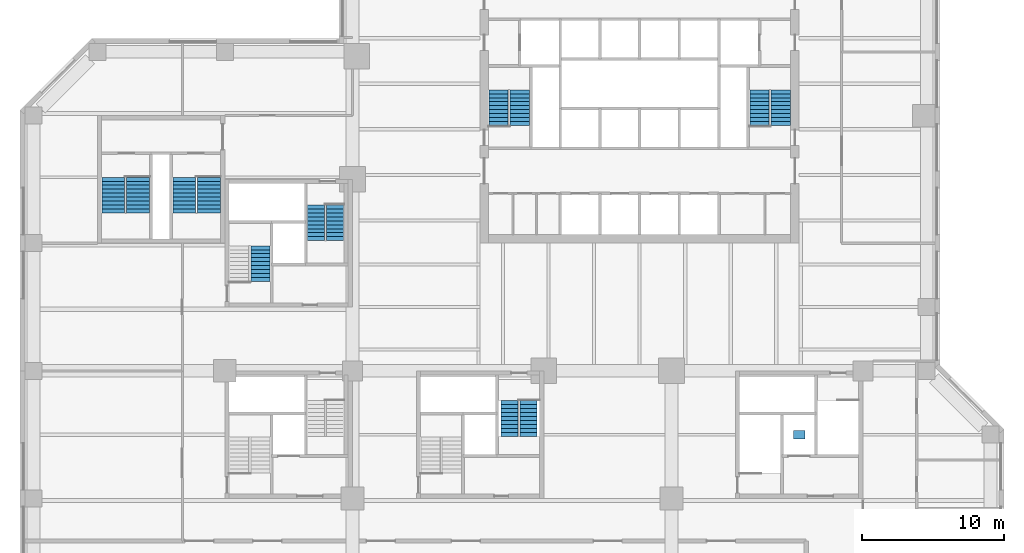
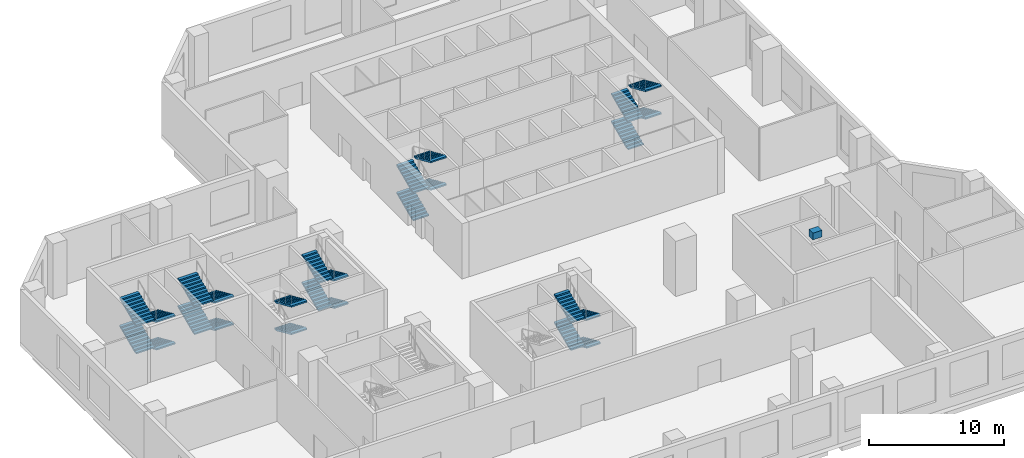
# One storey, part 10 of 12: 26 stair flights, 1 discrete accessory, 7 elements without a shape of their own.
"""IFC4 building model written with IfcOpenShell, lengths in metres."""

from ifc_helpers import new_model, si_unit, direction, frame, origin, origin_2d, place, context, subcontext, project, spatial, polyline, rectangle, outline, extrude, material, type_object, element, aggregate, save


model = new_model("IFC4")

# Units and contexts
model_context = context("Model", 3, precision=1e-05, world=origin(), true_north=direction((0.0, 1.0)))
body_context = subcontext(model_context, "Body", "Model", "MODEL_VIEW")
ifc_project = project(units=[si_unit("LENGTHUNIT", "METRE"), si_unit("AREAUNIT", "SQUARE_METRE"), si_unit("VOLUMEUNIT", "CUBIC_METRE"), si_unit("PLANEANGLEUNIT", "RADIAN"), si_unit("MASSUNIT", "GRAM", prefix="KILO")], contexts=[model_context])

# Site, building, storey
site_placement = place(None, origin())
site = spatial("IfcSite", under=ifc_project, at=site_placement, CompositionType="ELEMENT")
building_placement = place(site_placement, origin())
building = spatial("IfcBuilding", under=site, at=building_placement, Name="Quoin Convention Tower", CompositionType="ELEMENT")
storey_placement = place(building_placement, frame((0.0, 0.0, 13.5)))
storey = spatial("IfcBuildingStorey", under=building, at=storey_placement, Name="L02", CompositionType="ELEMENT", Elevation=13.5)

# Stair, stair flights
ifc_material_1 = material(Name="Concrete C40", Category="concrete")
stair_type_1 = type_object("IfcStairType", Name="Exit stair four-flight 1200", PredefinedType="DOUBLE_RETURN_STAIR", material=ifc_material_1)
stair_1_placement = place(storey_placement, origin())
stair_1 = element("IfcStair", 1, at=stair_1_placement, inside=storey, type_object=stair_type_1, Name="SD4 L02", PredefinedType="DOUBLE_RETURN_STAIR")
stair_flight_type_1 = type_object("IfcStairFlightType", Name="Stair flight 1200", PredefinedType="STRAIGHT", material=ifc_material_1)
stair_flight_1_placement = place(storey_placement, frame((34.77490234375, 52.199951171875, 0.0), z_axis=(0.0, 0.0, 1.0), x_axis=(0.0, -1.0, 0.0)))
stair_flight_1 = element("IfcStairFlight", 2, at=stair_flight_1_placement, type_object=stair_flight_type_1, Name="ST4 flight 1", NumberOfRisers=10, NumberOfTreads=9, PredefinedType="STRAIGHT", RiserHeight=0.125, TreadLength=0.28, context=body_context, shape_type="SweptSolid", body=[
    extrude(outline(polyline([(0.0, 0.0), (0.0, 0.125), (0.280029296875, 0.125), (0.280029296875, 0.25), (0.56005859375, 0.25), (0.56005859375, 0.375), (0.840087890625, 0.375), (0.840087890625, 0.5), (1.1201171875, 0.5), (1.1201171875, 0.625), (1.39990234375, 0.625), (1.39990234375, 0.75), (1.679931640625, 0.75), (1.679931640625, 0.875), (1.9599609375, 0.875), (1.9599609375, 1.0), (2.239990234375, 1.0), (2.239990234375, 1.125), (2.52001953125, 1.125), (2.52001953125, 1.25), (2.52001953125, 0.993408203125), (0.294677734375, 0.0), (0.0, 0.0)])), frame((0.0, 0.60009765625, 0.0), z_axis=(0.0, -1.0, 0.0), x_axis=(1.0, 0.0, 0.0)), (0.0, 0.0, 1.0), 1.199951171875),
])
stair_flight_2_placement = place(storey_placement, frame((33.425048828125, 49.679931640625, 1.25), z_axis=(0.0, 0.0, 1.0), x_axis=(0.0, 1.0, 0.0)))
stair_flight_2 = element("IfcStairFlight", 3, at=stair_flight_2_placement, type_object=stair_flight_type_1, Name="ST4 flight 2", NumberOfRisers=10, NumberOfTreads=9, PredefinedType="STRAIGHT", RiserHeight=0.125, TreadLength=0.28, context=body_context, shape_type="SweptSolid", body=[
    extrude(outline(polyline([(0.0, 0.0), (0.0, 0.125), (0.280029296875, 0.125), (0.280029296875, 0.25), (0.56005859375, 0.25), (0.56005859375, 0.375), (0.840087890625, 0.375), (0.840087890625, 0.5), (1.1201171875, 0.5), (1.1201171875, 0.625), (1.39990234375, 0.625), (1.39990234375, 0.75), (1.679931640625, 0.75), (1.679931640625, 0.875), (1.9599609375, 0.875), (1.9599609375, 1.0), (2.239990234375, 1.0), (2.239990234375, 1.125), (2.52001953125, 1.125), (2.52001953125, 1.25), (2.52001953125, 0.993408203125), (0.294677734375, 0.0), (0.0, 0.0)])), frame((0.0, 0.60009765625, 0.0), z_axis=(0.0, -1.0, 0.0), x_axis=(1.0, 0.0, 0.0)), (0.0, 0.0, 1.0), 1.199951171875),
])
stair_flight_3_placement = place(storey_placement, frame((34.77490234375, 52.199951171875, 2.5), z_axis=(0.0, 0.0, 1.0), x_axis=(0.0, -1.0, 0.0)))
stair_flight_3 = element("IfcStairFlight", 4, at=stair_flight_3_placement, type_object=stair_flight_type_1, Name="ST4 flight 3", NumberOfRisers=10, NumberOfTreads=9, PredefinedType="STRAIGHT", RiserHeight=0.125, TreadLength=0.28, context=body_context, shape_type="SweptSolid", body=[
    extrude(outline(polyline([(0.0, 0.0), (0.0, 0.125), (0.280029296875, 0.125), (0.280029296875, 0.25), (0.56005859375, 0.25), (0.56005859375, 0.375), (0.840087890625, 0.375), (0.840087890625, 0.5), (1.1201171875, 0.5), (1.1201171875, 0.625), (1.39990234375, 0.625), (1.39990234375, 0.75), (1.679931640625, 0.75), (1.679931640625, 0.875), (1.9599609375, 0.875), (1.9599609375, 1.0), (2.239990234375, 1.0), (2.239990234375, 1.125), (2.52001953125, 1.125), (2.52001953125, 1.25), (2.52001953125, 0.993408203125), (0.294677734375, 0.0), (0.0, 0.0)])), frame((0.0, 0.60009765625, 0.0), z_axis=(0.0, -1.0, 0.0), x_axis=(1.0, 0.0, 0.0)), (0.0, 0.0, 1.0), 1.199951171875),
])
stair_flight_4_placement = place(storey_placement, frame((33.425048828125, 49.679931640625, 3.75), z_axis=(0.0, 0.0, 1.0), x_axis=(0.0, 1.0, 0.0)))
stair_flight_4 = element("IfcStairFlight", 5, at=stair_flight_4_placement, type_object=stair_flight_type_1, Name="ST4 flight 4", NumberOfRisers=10, NumberOfTreads=9, PredefinedType="STRAIGHT", RiserHeight=0.125, TreadLength=0.28, context=body_context, shape_type="SweptSolid", body=[
    extrude(outline(polyline([(0.0, 0.0), (0.0, 0.125), (0.280029296875, 0.125), (0.280029296875, 0.25), (0.56005859375, 0.25), (0.56005859375, 0.375), (0.840087890625, 0.375), (0.840087890625, 0.5), (1.1201171875, 0.5), (1.1201171875, 0.625), (1.39990234375, 0.625), (1.39990234375, 0.75), (1.679931640625, 0.75), (1.679931640625, 0.875), (1.9599609375, 0.875), (1.9599609375, 1.0), (2.239990234375, 1.0), (2.239990234375, 1.125), (2.52001953125, 1.125), (2.52001953125, 1.25), (2.52001953125, 0.993408203125), (0.294677734375, 0.0), (0.0, 0.0)])), frame((0.0, 0.60009765625, 0.0), z_axis=(0.0, -1.0, 0.0), x_axis=(1.0, 0.0, 0.0)), (0.0, 0.0, 1.0), 1.199951171875),
])
aggregate(stair_1, [stair_flight_1, stair_flight_2, stair_flight_3, stair_flight_4])

stair_2_placement = place(storey_placement, origin())
stair_2 = element("IfcStair", 6, at=stair_2_placement, inside=storey, type_object=stair_type_1, Name="SD6 L02", PredefinedType="DOUBLE_RETURN_STAIR")
stair_flight_5_placement = place(storey_placement, frame((48.425048828125, 38.39990234375, 0.0), z_axis=(0.0, 0.0, 1.0), x_axis=(0.0, -1.0, 0.0)))
stair_flight_5 = element("IfcStairFlight", 7, at=stair_flight_5_placement, type_object=stair_flight_type_1, Name="ST6 flight 1", NumberOfRisers=10, NumberOfTreads=9, PredefinedType="STRAIGHT", RiserHeight=0.125, TreadLength=0.28, context=body_context, shape_type="SweptSolid", body=[
    extrude(outline(polyline([(0.0, 0.0), (0.0, 0.125), (0.280029296875, 0.125), (0.280029296875, 0.25), (0.56005859375, 0.25), (0.56005859375, 0.375), (0.840087890625, 0.375), (0.840087890625, 0.5), (1.1201171875, 0.5), (1.1201171875, 0.625), (1.39990234375, 0.625), (1.39990234375, 0.75), (1.679931640625, 0.75), (1.679931640625, 0.875), (1.9599609375, 0.875), (1.9599609375, 1.0), (2.239990234375, 1.0), (2.239990234375, 1.125), (2.52001953125, 1.125), (2.52001953125, 1.25), (2.52001953125, 0.993408203125), (0.294677734375, 0.0), (0.0, 0.0)])), frame((0.0, 0.60009765625, 0.0), z_axis=(0.0, -1.0, 0.0), x_axis=(1.0, 0.0, 0.0)), (0.0, 0.0, 1.0), 1.199951171875),
])
stair_flight_6_placement = place(storey_placement, frame((47.074951171875, 35.8798828125, 1.25), z_axis=(0.0, 0.0, 1.0), x_axis=(0.0, 1.0, 0.0)))
stair_flight_6 = element("IfcStairFlight", 8, at=stair_flight_6_placement, type_object=stair_flight_type_1, Name="ST6 flight 2", NumberOfRisers=10, NumberOfTreads=9, PredefinedType="STRAIGHT", RiserHeight=0.125, TreadLength=0.28, context=body_context, shape_type="SweptSolid", body=[
    extrude(outline(polyline([(0.0, 0.0), (0.0, 0.125), (0.280029296875, 0.125), (0.280029296875, 0.25), (0.56005859375, 0.25), (0.56005859375, 0.375), (0.840087890625, 0.375), (0.840087890625, 0.5), (1.1201171875, 0.5), (1.1201171875, 0.625), (1.39990234375, 0.625), (1.39990234375, 0.75), (1.679931640625, 0.75), (1.679931640625, 0.875), (1.9599609375, 0.875), (1.9599609375, 1.0), (2.239990234375, 1.0), (2.239990234375, 1.125), (2.52001953125, 1.125), (2.52001953125, 1.25), (2.52001953125, 0.993408203125), (0.294677734375, 0.0), (0.0, 0.0)])), frame((0.0, 0.60009765625, 0.0), z_axis=(0.0, -1.0, 0.0), x_axis=(1.0, 0.0, 0.0)), (0.0, 0.0, 1.0), 1.199951171875),
])
stair_flight_7_placement = place(storey_placement, frame((48.425048828125, 38.39990234375, 2.5), z_axis=(0.0, 0.0, 1.0), x_axis=(0.0, -1.0, 0.0)))
stair_flight_7 = element("IfcStairFlight", 9, at=stair_flight_7_placement, type_object=stair_flight_type_1, Name="ST6 flight 3", NumberOfRisers=10, NumberOfTreads=9, PredefinedType="STRAIGHT", RiserHeight=0.125, TreadLength=0.28, context=body_context, shape_type="SweptSolid", body=[
    extrude(outline(polyline([(0.0, 0.0), (0.0, 0.125), (0.280029296875, 0.125), (0.280029296875, 0.25), (0.56005859375, 0.25), (0.56005859375, 0.375), (0.840087890625, 0.375), (0.840087890625, 0.5), (1.1201171875, 0.5), (1.1201171875, 0.625), (1.39990234375, 0.625), (1.39990234375, 0.75), (1.679931640625, 0.75), (1.679931640625, 0.875), (1.9599609375, 0.875), (1.9599609375, 1.0), (2.239990234375, 1.0), (2.239990234375, 1.125), (2.52001953125, 1.125), (2.52001953125, 1.25), (2.52001953125, 0.993408203125), (0.294677734375, 0.0), (0.0, 0.0)])), frame((0.0, 0.60009765625, 0.0), z_axis=(0.0, -1.0, 0.0), x_axis=(1.0, 0.0, 0.0)), (0.0, 0.0, 1.0), 1.199951171875),
])
stair_flight_8_placement = place(storey_placement, frame((47.074951171875, 35.8798828125, 3.75), z_axis=(0.0, 0.0, 1.0), x_axis=(0.0, 1.0, 0.0)))
stair_flight_8 = element("IfcStairFlight", 10, at=stair_flight_8_placement, type_object=stair_flight_type_1, Name="ST6 flight 4", NumberOfRisers=10, NumberOfTreads=9, PredefinedType="STRAIGHT", RiserHeight=0.125, TreadLength=0.28, context=body_context, shape_type="SweptSolid", body=[
    extrude(outline(polyline([(0.0, 0.0), (0.0, 0.125), (0.280029296875, 0.125), (0.280029296875, 0.25), (0.56005859375, 0.25), (0.56005859375, 0.375), (0.840087890625, 0.375), (0.840087890625, 0.5), (1.1201171875, 0.5), (1.1201171875, 0.625), (1.39990234375, 0.625), (1.39990234375, 0.75), (1.679931640625, 0.75), (1.679931640625, 0.875), (1.9599609375, 0.875), (1.9599609375, 1.0), (2.239990234375, 1.0), (2.239990234375, 1.125), (2.52001953125, 1.125), (2.52001953125, 1.25), (2.52001953125, 0.993408203125), (0.294677734375, 0.0), (0.0, 0.0)])), frame((0.0, 0.60009765625, 0.0), z_axis=(0.0, -1.0, 0.0), x_axis=(1.0, 0.0, 0.0)), (0.0, 0.0, 1.0), 1.199951171875),
])
aggregate(stair_2, [stair_flight_5, stair_flight_6, stair_flight_7, stair_flight_8])

stair_type_2 = type_object("IfcStairType", Name="Exit stair four-flight 1350", PredefinedType="DOUBLE_RETURN_STAIR", material=ifc_material_1)
stair_3_placement = place(storey_placement, origin())
stair_3 = element("IfcStair", 11, at=stair_3_placement, inside=storey, type_object=stair_type_2, Name="SD1 L02", PredefinedType="DOUBLE_RETURN_STAIR")
stair_flight_type_2 = type_object("IfcStairFlightType", Name="Stair flight 1350", PredefinedType="STRAIGHT", material=ifc_material_1)
stair_flight_9_placement = place(storey_placement, frame((46.300048828125, 57.800048828125, 0.0), z_axis=(0.0, 0.0, 1.0), x_axis=(0.0, 1.0, 0.0)))
stair_flight_9 = element("IfcStairFlight", 12, at=stair_flight_9_placement, type_object=stair_flight_type_2, Name="ST1 flight 1", NumberOfRisers=10, NumberOfTreads=9, PredefinedType="STRAIGHT", RiserHeight=0.125, TreadLength=0.28, context=body_context, shape_type="SweptSolid", body=[
    extrude(outline(polyline([(0.0, 0.0), (0.0, 0.125), (0.280029296875, 0.125), (0.280029296875, 0.25), (0.56005859375, 0.25), (0.56005859375, 0.375), (0.840087890625, 0.375), (0.840087890625, 0.5), (1.1201171875, 0.5), (1.1201171875, 0.625), (1.39990234375, 0.625), (1.39990234375, 0.75), (1.679931640625, 0.75), (1.679931640625, 0.875), (1.9599609375, 0.875), (1.9599609375, 1.0), (2.239990234375, 1.0), (2.239990234375, 1.125), (2.52001953125, 1.125), (2.52001953125, 1.25), (2.52001953125, 0.993408203125), (0.294677734375, 0.0), (0.0, 0.0)])), frame((0.0, 0.675048828125, 0.0), z_axis=(0.0, -1.0, 0.0), x_axis=(1.0, 0.0, 0.0)), (0.0, 0.0, 1.0), 1.35009765625),
])
stair_flight_10_placement = place(storey_placement, frame((47.800048828125, 60.320068359375, 1.25), z_axis=(0.0, 0.0, 1.0), x_axis=(0.0, -1.0, 0.0)))
stair_flight_10 = element("IfcStairFlight", 13, at=stair_flight_10_placement, type_object=stair_flight_type_2, Name="ST1 flight 2", NumberOfRisers=10, NumberOfTreads=9, PredefinedType="STRAIGHT", RiserHeight=0.125, TreadLength=0.28, context=body_context, shape_type="SweptSolid", body=[
    extrude(outline(polyline([(0.0, 0.0), (0.0, 0.125), (0.280029296875, 0.125), (0.280029296875, 0.25), (0.56005859375, 0.25), (0.56005859375, 0.375), (0.840087890625, 0.375), (0.840087890625, 0.5), (1.1201171875, 0.5), (1.1201171875, 0.625), (1.39990234375, 0.625), (1.39990234375, 0.75), (1.679931640625, 0.75), (1.679931640625, 0.875), (1.9599609375, 0.875), (1.9599609375, 1.0), (2.239990234375, 1.0), (2.239990234375, 1.125), (2.52001953125, 1.125), (2.52001953125, 1.25), (2.52001953125, 0.993408203125), (0.294677734375, 0.0), (0.0, 0.0)])), frame((0.0, 0.675048828125, 0.0), z_axis=(0.0, -1.0, 0.0), x_axis=(1.0, 0.0, 0.0)), (0.0, 0.0, 1.0), 1.35009765625),
])
stair_flight_11_placement = place(storey_placement, frame((46.300048828125, 57.800048828125, 2.5), z_axis=(0.0, 0.0, 1.0), x_axis=(0.0, 1.0, 0.0)))
stair_flight_11 = element("IfcStairFlight", 14, at=stair_flight_11_placement, type_object=stair_flight_type_2, Name="ST1 flight 3", NumberOfRisers=10, NumberOfTreads=9, PredefinedType="STRAIGHT", RiserHeight=0.125, TreadLength=0.28, context=body_context, shape_type="SweptSolid", body=[
    extrude(outline(polyline([(0.0, 0.0), (0.0, 0.125), (0.280029296875, 0.125), (0.280029296875, 0.25), (0.56005859375, 0.25), (0.56005859375, 0.375), (0.840087890625, 0.375), (0.840087890625, 0.5), (1.1201171875, 0.5), (1.1201171875, 0.625), (1.39990234375, 0.625), (1.39990234375, 0.75), (1.679931640625, 0.75), (1.679931640625, 0.875), (1.9599609375, 0.875), (1.9599609375, 1.0), (2.239990234375, 1.0), (2.239990234375, 1.125), (2.52001953125, 1.125), (2.52001953125, 1.25), (2.52001953125, 0.993408203125), (0.294677734375, 0.0), (0.0, 0.0)])), frame((0.0, 0.675048828125, 0.0), z_axis=(0.0, -1.0, 0.0), x_axis=(1.0, 0.0, 0.0)), (0.0, 0.0, 1.0), 1.35009765625),
])
stair_flight_12_placement = place(storey_placement, frame((47.800048828125, 60.320068359375, 3.75), z_axis=(0.0, 0.0, 1.0), x_axis=(0.0, -1.0, 0.0)))
stair_flight_12 = element("IfcStairFlight", 15, at=stair_flight_12_placement, type_object=stair_flight_type_2, Name="ST1 flight 4", NumberOfRisers=10, NumberOfTreads=9, PredefinedType="STRAIGHT", RiserHeight=0.125, TreadLength=0.28, context=body_context, shape_type="SweptSolid", body=[
    extrude(outline(polyline([(0.0, 0.0), (0.0, 0.125), (0.280029296875, 0.125), (0.280029296875, 0.25), (0.56005859375, 0.25), (0.56005859375, 0.375), (0.840087890625, 0.375), (0.840087890625, 0.5), (1.1201171875, 0.5), (1.1201171875, 0.625), (1.39990234375, 0.625), (1.39990234375, 0.75), (1.679931640625, 0.75), (1.679931640625, 0.875), (1.9599609375, 0.875), (1.9599609375, 1.0), (2.239990234375, 1.0), (2.239990234375, 1.125), (2.52001953125, 1.125), (2.52001953125, 1.25), (2.52001953125, 0.993408203125), (0.294677734375, 0.0), (0.0, 0.0)])), frame((0.0, 0.675048828125, 0.0), z_axis=(0.0, -1.0, 0.0), x_axis=(1.0, 0.0, 0.0)), (0.0, 0.0, 1.0), 1.35009765625),
])
aggregate(stair_3, [stair_flight_9, stair_flight_10, stair_flight_11, stair_flight_12])

stair_4_placement = place(storey_placement, origin())
stair_4 = element("IfcStair", 16, at=stair_4_placement, inside=storey, type_object=stair_type_2, Name="SD2 L02", PredefinedType="DOUBLE_RETURN_STAIR")
stair_flight_13_placement = place(storey_placement, frame((64.699951171875, 57.800048828125, 0.0), z_axis=(0.0, 0.0, 1.0), x_axis=(0.0, 1.0, 0.0)))
stair_flight_13 = element("IfcStairFlight", 17, at=stair_flight_13_placement, type_object=stair_flight_type_2, Name="ST2 flight 1", NumberOfRisers=10, NumberOfTreads=9, PredefinedType="STRAIGHT", RiserHeight=0.125, TreadLength=0.28, context=body_context, shape_type="SweptSolid", body=[
    extrude(outline(polyline([(0.0, 0.0), (0.0, 0.125), (0.280029296875, 0.125), (0.280029296875, 0.25), (0.56005859375, 0.25), (0.56005859375, 0.375), (0.840087890625, 0.375), (0.840087890625, 0.5), (1.1201171875, 0.5), (1.1201171875, 0.625), (1.39990234375, 0.625), (1.39990234375, 0.75), (1.679931640625, 0.75), (1.679931640625, 0.875), (1.9599609375, 0.875), (1.9599609375, 1.0), (2.239990234375, 1.0), (2.239990234375, 1.125), (2.52001953125, 1.125), (2.52001953125, 1.25), (2.52001953125, 0.993408203125), (0.294677734375, 0.0), (0.0, 0.0)])), frame((0.0, 0.675048828125, 0.0), z_axis=(0.0, -1.0, 0.0), x_axis=(1.0, 0.0, 0.0)), (0.0, 0.0, 1.0), 1.35009765625),
])
stair_flight_14_placement = place(storey_placement, frame((66.199951171875, 60.320068359375, 1.25), z_axis=(0.0, 0.0, 1.0), x_axis=(0.0, -1.0, 0.0)))
stair_flight_14 = element("IfcStairFlight", 18, at=stair_flight_14_placement, type_object=stair_flight_type_2, Name="ST2 flight 2", NumberOfRisers=10, NumberOfTreads=9, PredefinedType="STRAIGHT", RiserHeight=0.125, TreadLength=0.28, context=body_context, shape_type="SweptSolid", body=[
    extrude(outline(polyline([(0.0, 0.0), (0.0, 0.125), (0.280029296875, 0.125), (0.280029296875, 0.25), (0.56005859375, 0.25), (0.56005859375, 0.375), (0.840087890625, 0.375), (0.840087890625, 0.5), (1.1201171875, 0.5), (1.1201171875, 0.625), (1.39990234375, 0.625), (1.39990234375, 0.75), (1.679931640625, 0.75), (1.679931640625, 0.875), (1.9599609375, 0.875), (1.9599609375, 1.0), (2.239990234375, 1.0), (2.239990234375, 1.125), (2.52001953125, 1.125), (2.52001953125, 1.25), (2.52001953125, 0.993408203125), (0.294677734375, 0.0), (0.0, 0.0)])), frame((0.0, 0.675048828125, 0.0), z_axis=(0.0, -1.0, 0.0), x_axis=(1.0, 0.0, 0.0)), (0.0, 0.0, 1.0), 1.35009765625),
])
stair_flight_15_placement = place(storey_placement, frame((64.699951171875, 57.800048828125, 2.5), z_axis=(0.0, 0.0, 1.0), x_axis=(0.0, 1.0, 0.0)))
stair_flight_15 = element("IfcStairFlight", 19, at=stair_flight_15_placement, type_object=stair_flight_type_2, Name="ST2 flight 3", NumberOfRisers=10, NumberOfTreads=9, PredefinedType="STRAIGHT", RiserHeight=0.125, TreadLength=0.28, context=body_context, shape_type="SweptSolid", body=[
    extrude(outline(polyline([(0.0, 0.0), (0.0, 0.125), (0.280029296875, 0.125), (0.280029296875, 0.25), (0.56005859375, 0.25), (0.56005859375, 0.375), (0.840087890625, 0.375), (0.840087890625, 0.5), (1.1201171875, 0.5), (1.1201171875, 0.625), (1.39990234375, 0.625), (1.39990234375, 0.75), (1.679931640625, 0.75), (1.679931640625, 0.875), (1.9599609375, 0.875), (1.9599609375, 1.0), (2.239990234375, 1.0), (2.239990234375, 1.125), (2.52001953125, 1.125), (2.52001953125, 1.25), (2.52001953125, 0.993408203125), (0.294677734375, 0.0), (0.0, 0.0)])), frame((0.0, 0.675048828125, 0.0), z_axis=(0.0, -1.0, 0.0), x_axis=(1.0, 0.0, 0.0)), (0.0, 0.0, 1.0), 1.35009765625),
])
stair_flight_16_placement = place(storey_placement, frame((66.199951171875, 60.320068359375, 3.75), z_axis=(0.0, 0.0, 1.0), x_axis=(0.0, -1.0, 0.0)))
stair_flight_16 = element("IfcStairFlight", 20, at=stair_flight_16_placement, type_object=stair_flight_type_2, Name="ST2 flight 4", NumberOfRisers=10, NumberOfTreads=9, PredefinedType="STRAIGHT", RiserHeight=0.125, TreadLength=0.28, context=body_context, shape_type="SweptSolid", body=[
    extrude(outline(polyline([(0.0, 0.0), (0.0, 0.125), (0.280029296875, 0.125), (0.280029296875, 0.25), (0.56005859375, 0.25), (0.56005859375, 0.375), (0.840087890625, 0.375), (0.840087890625, 0.5), (1.1201171875, 0.5), (1.1201171875, 0.625), (1.39990234375, 0.625), (1.39990234375, 0.75), (1.679931640625, 0.75), (1.679931640625, 0.875), (1.9599609375, 0.875), (1.9599609375, 1.0), (2.239990234375, 1.0), (2.239990234375, 1.125), (2.52001953125, 1.125), (2.52001953125, 1.25), (2.52001953125, 0.993408203125), (0.294677734375, 0.0), (0.0, 0.0)])), frame((0.0, 0.675048828125, 0.0), z_axis=(0.0, -1.0, 0.0), x_axis=(1.0, 0.0, 0.0)), (0.0, 0.0, 1.0), 1.35009765625),
])
aggregate(stair_4, [stair_flight_13, stair_flight_14, stair_flight_15, stair_flight_16])

stair_5_placement = place(storey_placement, origin())
stair_5 = element("IfcStair", 21, at=stair_5_placement, inside=storey, type_object=stair_type_2, Name="SD3 L02", PredefinedType="DOUBLE_RETURN_STAIR")
stair_flight_17_placement = place(storey_placement, frame((29.5, 49.320068359375, 1.25), z_axis=(0.0, 0.0, 1.0), x_axis=(0.0, -1.0, 0.0)))
stair_flight_17 = element("IfcStairFlight", 22, at=stair_flight_17_placement, type_object=stair_flight_type_2, Name="ST3 flight 2", NumberOfRisers=10, NumberOfTreads=9, PredefinedType="STRAIGHT", RiserHeight=0.125, TreadLength=0.28, context=body_context, shape_type="SweptSolid", body=[
    extrude(outline(polyline([(0.0, 0.0), (0.0, 0.125), (0.280029296875, 0.125), (0.280029296875, 0.25), (0.56005859375, 0.25), (0.56005859375, 0.375), (0.840087890625, 0.375), (0.840087890625, 0.5), (1.1201171875, 0.5), (1.1201171875, 0.625), (1.39990234375, 0.625), (1.39990234375, 0.75), (1.679931640625, 0.75), (1.679931640625, 0.875), (1.9599609375, 0.875), (1.9599609375, 1.0), (2.239990234375, 1.0), (2.239990234375, 1.125), (2.52001953125, 1.125), (2.52001953125, 1.25), (2.52001953125, 0.993408203125), (0.294677734375, 0.0), (0.0, 0.0)])), frame((0.0, 0.675048828125, 0.0), z_axis=(0.0, -1.0, 0.0), x_axis=(1.0, 0.0, 0.0)), (0.0, 0.0, 1.0), 1.35009765625),
])
stair_flight_18_placement = place(storey_placement, frame((29.5, 49.320068359375, 3.75), z_axis=(0.0, 0.0, 1.0), x_axis=(0.0, -1.0, 0.0)))
stair_flight_18 = element("IfcStairFlight", 23, at=stair_flight_18_placement, type_object=stair_flight_type_2, Name="ST3 flight 4", NumberOfRisers=10, NumberOfTreads=9, PredefinedType="STRAIGHT", RiserHeight=0.125, TreadLength=0.28, context=body_context, shape_type="SweptSolid", body=[
    extrude(outline(polyline([(0.0, 0.0), (0.0, 0.125), (0.280029296875, 0.125), (0.280029296875, 0.25), (0.56005859375, 0.25), (0.56005859375, 0.375), (0.840087890625, 0.375), (0.840087890625, 0.5), (1.1201171875, 0.5), (1.1201171875, 0.625), (1.39990234375, 0.625), (1.39990234375, 0.75), (1.679931640625, 0.75), (1.679931640625, 0.875), (1.9599609375, 0.875), (1.9599609375, 1.0), (2.239990234375, 1.0), (2.239990234375, 1.125), (2.52001953125, 1.125), (2.52001953125, 1.25), (2.52001953125, 0.993408203125), (0.294677734375, 0.0), (0.0, 0.0)])), frame((0.0, 0.675048828125, 0.0), z_axis=(0.0, -1.0, 0.0), x_axis=(1.0, 0.0, 0.0)), (0.0, 0.0, 1.0), 1.35009765625),
])
aggregate(stair_5, [stair_flight_17, stair_flight_18])

stair_type_3 = type_object("IfcStairType", Name="Exit stair four-flight 1600", PredefinedType="DOUBLE_RETURN_STAIR", material=ifc_material_1)
stair_6_placement = place(storey_placement, origin())
stair_6 = element("IfcStair", 24, at=stair_6_placement, inside=storey, type_object=stair_type_3, Name="SD11 L02", PredefinedType="DOUBLE_RETURN_STAIR")
stair_flight_type_3 = type_object("IfcStairFlightType", Name="Stair flight 1600", PredefinedType="STRAIGHT", material=ifc_material_1)
stair_flight_19_placement = place(storey_placement, frame((20.875, 54.14990234375, 0.0), z_axis=(0.0, 0.0, 1.0), x_axis=(0.0, -1.0, 0.0)))
stair_flight_19 = element("IfcStairFlight", 25, at=stair_flight_19_placement, type_object=stair_flight_type_3, Name="ST11 flight 1", NumberOfRisers=10, NumberOfTreads=9, PredefinedType="STRAIGHT", RiserHeight=0.125, TreadLength=0.28, context=body_context, shape_type="SweptSolid", body=[
    extrude(outline(polyline([(0.0, 0.0), (0.0, 0.125), (0.280029296875, 0.125), (0.280029296875, 0.25), (0.56005859375, 0.25), (0.56005859375, 0.375), (0.840087890625, 0.375), (0.840087890625, 0.5), (1.1201171875, 0.5), (1.1201171875, 0.625), (1.39990234375, 0.625), (1.39990234375, 0.75), (1.679931640625, 0.75), (1.679931640625, 0.875), (1.9599609375, 0.875), (1.9599609375, 1.0), (2.239990234375, 1.0), (2.239990234375, 1.125), (2.52001953125, 1.125), (2.52001953125, 1.25), (2.52001953125, 0.993408203125), (0.294677734375, 0.0), (0.0, 0.0)])), frame((0.0, 0.800048828125, 0.0), z_axis=(0.0, -1.0, 0.0), x_axis=(1.0, 0.0, 0.0)), (0.0, 0.0, 1.0), 1.60009765625),
])
stair_flight_20_placement = place(storey_placement, frame((19.125, 51.6298828125, 1.25), z_axis=(0.0, 0.0, 1.0), x_axis=(0.0, 1.0, 0.0)))
stair_flight_20 = element("IfcStairFlight", 26, at=stair_flight_20_placement, type_object=stair_flight_type_3, Name="ST11 flight 2", NumberOfRisers=10, NumberOfTreads=9, PredefinedType="STRAIGHT", RiserHeight=0.125, TreadLength=0.28, context=body_context, shape_type="SweptSolid", body=[
    extrude(outline(polyline([(0.0, 0.0), (0.0, 0.125), (0.280029296875, 0.125), (0.280029296875, 0.25), (0.56005859375, 0.25), (0.56005859375, 0.375), (0.840087890625, 0.375), (0.840087890625, 0.5), (1.1201171875, 0.5), (1.1201171875, 0.625), (1.39990234375, 0.625), (1.39990234375, 0.75), (1.679931640625, 0.75), (1.679931640625, 0.875), (1.9599609375, 0.875), (1.9599609375, 1.0), (2.239990234375, 1.0), (2.239990234375, 1.125), (2.52001953125, 1.125), (2.52001953125, 1.25), (2.52001953125, 0.993408203125), (0.294677734375, 0.0), (0.0, 0.0)])), frame((0.0, 0.800048828125, 0.0), z_axis=(0.0, -1.0, 0.0), x_axis=(1.0, 0.0, 0.0)), (0.0, 0.0, 1.0), 1.60009765625),
])
stair_flight_21_placement = place(storey_placement, frame((20.875, 54.14990234375, 2.5), z_axis=(0.0, 0.0, 1.0), x_axis=(0.0, -1.0, 0.0)))
stair_flight_21 = element("IfcStairFlight", 27, at=stair_flight_21_placement, type_object=stair_flight_type_3, Name="ST11 flight 3", NumberOfRisers=10, NumberOfTreads=9, PredefinedType="STRAIGHT", RiserHeight=0.125, TreadLength=0.28, context=body_context, shape_type="SweptSolid", body=[
    extrude(outline(polyline([(0.0, 0.0), (0.0, 0.125), (0.280029296875, 0.125), (0.280029296875, 0.25), (0.56005859375, 0.25), (0.56005859375, 0.375), (0.840087890625, 0.375), (0.840087890625, 0.5), (1.1201171875, 0.5), (1.1201171875, 0.625), (1.39990234375, 0.625), (1.39990234375, 0.75), (1.679931640625, 0.75), (1.679931640625, 0.875), (1.9599609375, 0.875), (1.9599609375, 1.0), (2.239990234375, 1.0), (2.239990234375, 1.125), (2.52001953125, 1.125), (2.52001953125, 1.25), (2.52001953125, 0.993408203125), (0.294677734375, 0.0), (0.0, 0.0)])), frame((0.0, 0.800048828125, 0.0), z_axis=(0.0, -1.0, 0.0), x_axis=(1.0, 0.0, 0.0)), (0.0, 0.0, 1.0), 1.60009765625),
])
stair_flight_22_placement = place(storey_placement, frame((19.125, 51.6298828125, 3.75), z_axis=(0.0, 0.0, 1.0), x_axis=(0.0, 1.0, 0.0)))
stair_flight_22 = element("IfcStairFlight", 28, at=stair_flight_22_placement, type_object=stair_flight_type_3, Name="ST11 flight 4", NumberOfRisers=10, NumberOfTreads=9, PredefinedType="STRAIGHT", RiserHeight=0.125, TreadLength=0.28, context=body_context, shape_type="SweptSolid", body=[
    extrude(outline(polyline([(0.0, 0.0), (0.0, 0.125), (0.280029296875, 0.125), (0.280029296875, 0.25), (0.56005859375, 0.25), (0.56005859375, 0.375), (0.840087890625, 0.375), (0.840087890625, 0.5), (1.1201171875, 0.5), (1.1201171875, 0.625), (1.39990234375, 0.625), (1.39990234375, 0.75), (1.679931640625, 0.75), (1.679931640625, 0.875), (1.9599609375, 0.875), (1.9599609375, 1.0), (2.239990234375, 1.0), (2.239990234375, 1.125), (2.52001953125, 1.125), (2.52001953125, 1.25), (2.52001953125, 0.993408203125), (0.294677734375, 0.0), (0.0, 0.0)])), frame((0.0, 0.800048828125, 0.0), z_axis=(0.0, -1.0, 0.0), x_axis=(1.0, 0.0, 0.0)), (0.0, 0.0, 1.0), 1.60009765625),
])
aggregate(stair_6, [stair_flight_19, stair_flight_20, stair_flight_21, stair_flight_22])

stair_7_placement = place(storey_placement, origin())
stair_7 = element("IfcStair", 29, at=stair_7_placement, inside=storey, type_object=stair_type_3, Name="SD12 L02", PredefinedType="DOUBLE_RETURN_STAIR")
stair_flight_23_placement = place(storey_placement, frame((25.875, 54.14990234375, 0.0), z_axis=(0.0, 0.0, 1.0), x_axis=(0.0, -1.0, 0.0)))
stair_flight_23 = element("IfcStairFlight", 30, at=stair_flight_23_placement, type_object=stair_flight_type_3, Name="ST12 flight 1", NumberOfRisers=10, NumberOfTreads=9, PredefinedType="STRAIGHT", RiserHeight=0.125, TreadLength=0.28, context=body_context, shape_type="SweptSolid", body=[
    extrude(outline(polyline([(0.0, 0.0), (0.0, 0.125), (0.280029296875, 0.125), (0.280029296875, 0.25), (0.56005859375, 0.25), (0.56005859375, 0.375), (0.840087890625, 0.375), (0.840087890625, 0.5), (1.1201171875, 0.5), (1.1201171875, 0.625), (1.39990234375, 0.625), (1.39990234375, 0.75), (1.679931640625, 0.75), (1.679931640625, 0.875), (1.9599609375, 0.875), (1.9599609375, 1.0), (2.239990234375, 1.0), (2.239990234375, 1.125), (2.52001953125, 1.125), (2.52001953125, 1.25), (2.52001953125, 0.993408203125), (0.294677734375, 0.0), (0.0, 0.0)])), frame((0.0, 0.800048828125, 0.0), z_axis=(0.0, -1.0, 0.0), x_axis=(1.0, 0.0, 0.0)), (0.0, 0.0, 1.0), 1.60009765625),
])
stair_flight_24_placement = place(storey_placement, frame((24.125, 51.6298828125, 1.25), z_axis=(0.0, 0.0, 1.0), x_axis=(0.0, 1.0, 0.0)))
stair_flight_24 = element("IfcStairFlight", 31, at=stair_flight_24_placement, type_object=stair_flight_type_3, Name="ST12 flight 2", NumberOfRisers=10, NumberOfTreads=9, PredefinedType="STRAIGHT", RiserHeight=0.125, TreadLength=0.28, context=body_context, shape_type="SweptSolid", body=[
    extrude(outline(polyline([(0.0, 0.0), (0.0, 0.125), (0.280029296875, 0.125), (0.280029296875, 0.25), (0.56005859375, 0.25), (0.56005859375, 0.375), (0.840087890625, 0.375), (0.840087890625, 0.5), (1.1201171875, 0.5), (1.1201171875, 0.625), (1.39990234375, 0.625), (1.39990234375, 0.75), (1.679931640625, 0.75), (1.679931640625, 0.875), (1.9599609375, 0.875), (1.9599609375, 1.0), (2.239990234375, 1.0), (2.239990234375, 1.125), (2.52001953125, 1.125), (2.52001953125, 1.25), (2.52001953125, 0.993408203125), (0.294677734375, 0.0), (0.0, 0.0)])), frame((0.0, 0.800048828125, 0.0), z_axis=(0.0, -1.0, 0.0), x_axis=(1.0, 0.0, 0.0)), (0.0, 0.0, 1.0), 1.60009765625),
])
stair_flight_25_placement = place(storey_placement, frame((25.875, 54.14990234375, 2.5), z_axis=(0.0, 0.0, 1.0), x_axis=(0.0, -1.0, 0.0)))
stair_flight_25 = element("IfcStairFlight", 32, at=stair_flight_25_placement, type_object=stair_flight_type_3, Name="ST12 flight 3", NumberOfRisers=10, NumberOfTreads=9, PredefinedType="STRAIGHT", RiserHeight=0.125, TreadLength=0.28, context=body_context, shape_type="SweptSolid", body=[
    extrude(outline(polyline([(0.0, 0.0), (0.0, 0.125), (0.280029296875, 0.125), (0.280029296875, 0.25), (0.56005859375, 0.25), (0.56005859375, 0.375), (0.840087890625, 0.375), (0.840087890625, 0.5), (1.1201171875, 0.5), (1.1201171875, 0.625), (1.39990234375, 0.625), (1.39990234375, 0.75), (1.679931640625, 0.75), (1.679931640625, 0.875), (1.9599609375, 0.875), (1.9599609375, 1.0), (2.239990234375, 1.0), (2.239990234375, 1.125), (2.52001953125, 1.125), (2.52001953125, 1.25), (2.52001953125, 0.993408203125), (0.294677734375, 0.0), (0.0, 0.0)])), frame((0.0, 0.800048828125, 0.0), z_axis=(0.0, -1.0, 0.0), x_axis=(1.0, 0.0, 0.0)), (0.0, 0.0, 1.0), 1.60009765625),
])
stair_flight_26_placement = place(storey_placement, frame((24.125, 51.6298828125, 3.75), z_axis=(0.0, 0.0, 1.0), x_axis=(0.0, 1.0, 0.0)))
stair_flight_26 = element("IfcStairFlight", 33, at=stair_flight_26_placement, type_object=stair_flight_type_3, Name="ST12 flight 4", NumberOfRisers=10, NumberOfTreads=9, PredefinedType="STRAIGHT", RiserHeight=0.125, TreadLength=0.28, context=body_context, shape_type="SweptSolid", body=[
    extrude(outline(polyline([(0.0, 0.0), (0.0, 0.125), (0.280029296875, 0.125), (0.280029296875, 0.25), (0.56005859375, 0.25), (0.56005859375, 0.375), (0.840087890625, 0.375), (0.840087890625, 0.5), (1.1201171875, 0.5), (1.1201171875, 0.625), (1.39990234375, 0.625), (1.39990234375, 0.75), (1.679931640625, 0.75), (1.679931640625, 0.875), (1.9599609375, 0.875), (1.9599609375, 1.0), (2.239990234375, 1.0), (2.239990234375, 1.125), (2.52001953125, 1.125), (2.52001953125, 1.25), (2.52001953125, 0.993408203125), (0.294677734375, 0.0), (0.0, 0.0)])), frame((0.0, 0.800048828125, 0.0), z_axis=(0.0, -1.0, 0.0), x_axis=(1.0, 0.0, 0.0)), (0.0, 0.0, 1.0), 1.60009765625),
])
aggregate(stair_7, [stair_flight_23, stair_flight_24, stair_flight_25, stair_flight_26])

# Discrete accessory
ifc_material_2 = material(Name="Steel Grade 300", Category="steel")
discrete_accessory_placement = place(storey_placement, frame((67.5, 36.0, 4.179931640625), z_axis=(0.0, 0.0, 1.0), x_axis=(1.0, 0.0, 0.0)))
element("IfcDiscreteAccessory", 34, at=discrete_accessory_placement, inside=storey, material=ifc_material_2, Name="LIFT MACHINE GL2", ObjectType="Lift machine", PredefinedType="USERDEFINED", context=body_context, shape_type="SweptSolid", body=[
    extrude(rectangle(XDim=0.800048828125, YDim=0.60009765625, at=origin_2d()), origin(), (0.0, 0.0, 1.0), 0.60009765625),
])

save(model, "model.ifc")
